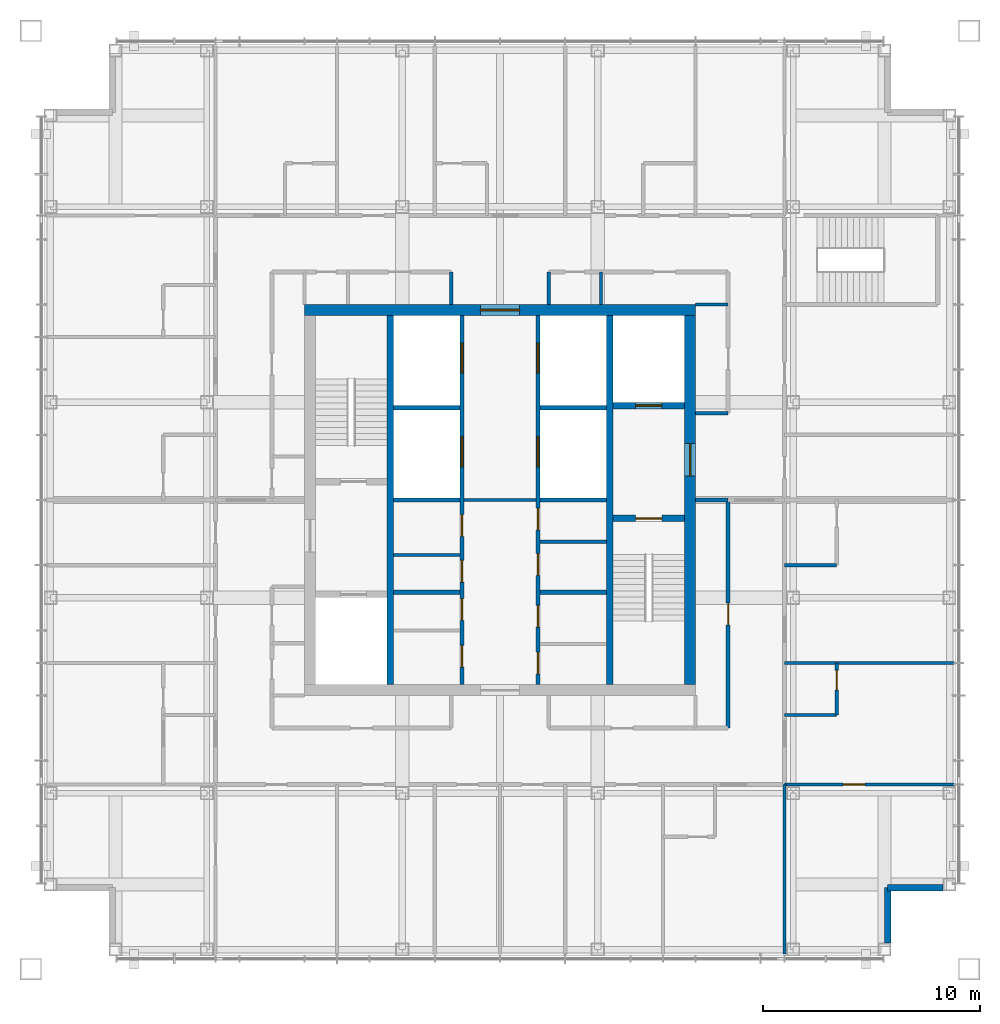
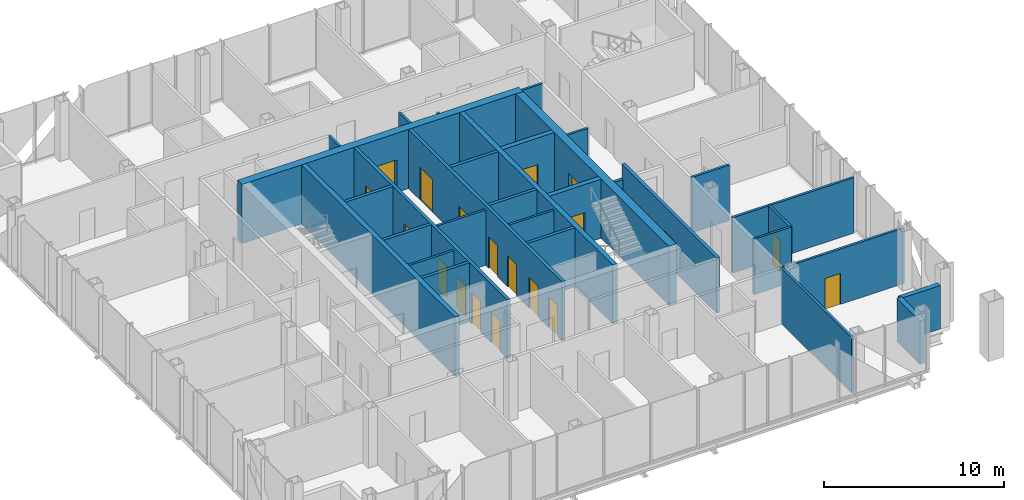
# One storey, part 9 of 16: 32 walls, 19 doors, 19 openings.
"""IFC4 building model written with IfcOpenShell, lengths in metres."""

from ifc_helpers import new_model, si_unit, direction, frame, frame_2d, origin, place, context, subcontext, project, spatial, rectangle, extrude, material, layer, layer_set, type_object, element, fill, save


model = new_model("IFC4")

# Units and contexts
model_context = context("Model", 3, precision=1e-05, world=origin(), true_north=direction((0.0, 1.0)))
body_context = subcontext(model_context, "Body", "Model", "MODEL_VIEW")
ifc_project = project(units=[si_unit("LENGTHUNIT", "METRE"), si_unit("AREAUNIT", "SQUARE_METRE"), si_unit("VOLUMEUNIT", "CUBIC_METRE"), si_unit("PLANEANGLEUNIT", "RADIAN"), si_unit("MASSUNIT", "GRAM", prefix="KILO")], contexts=[model_context])

# Site, building, storey
site_placement = place(None, origin())
site = spatial("IfcSite", under=ifc_project, at=site_placement, CompositionType="ELEMENT")
building_placement = place(site_placement, origin())
building = spatial("IfcBuilding", under=site, at=building_placement, Name="Malebo Sky Hospital", CompositionType="ELEMENT")
storey_placement = place(building_placement, frame((0.0, 0.0, 254.0)))
storey = spatial("IfcBuildingStorey", under=building, at=storey_placement, Name="L61", CompositionType="ELEMENT", Elevation=254.0)

# Wall, openings, doors
ifc_material_1 = material(Name="Concrete C80/95", Category="concrete")
ifc_layer_1 = layer(ifc_material_1, 0.199951171875)
ifc_layer_set_1 = layer_set([ifc_layer_1], Name="CORE INNER WALL 200")
wall_type_1 = type_object("IfcWallType", Name="CORE INNER WALL 200", PredefinedType="SHEAR", material=ifc_layer_set_1)
wall_1_placement = place(storey_placement, frame((58.25, 53.5, 0.0), z_axis=(0.0, 0.0, 1.0), x_axis=(0.0, 1.0, 0.0)))
wall_1 = element("IfcWall", 1, at=wall_1_placement, inside=storey, type_object=wall_type_1, Name="Core wall LW L61", PredefinedType="SHEAR", context=body_context, shape_type="SweptSolid", body=[
    extrude(rectangle(XDim=17.0, YDim=0.199951171875, at=frame_2d((8.5, 0.0))), origin(), (0.0, 0.0, 1.0), 4.0),
])
opening_1_placement = place(wall_1_placement, frame((0.8076171875, 0.0, 0.0)))
opening_1 = element("IfcOpeningElement", 2, at=opening_1_placement, cuts=wall_1, Name="Opening D17", PredefinedType="OPENING", context=body_context, shape_type="SweptSolid", body=[
    extrude(rectangle(XDim=1.0, YDim=2.10009765625, at=frame_2d((0.5, 1.050048828125))), frame((0.0, 0.10986328125, 0.0), z_axis=(0.0, -1.0, 0.0), x_axis=(1.0, 0.0, 0.0)), (0.0, 0.0, 1.0), 0.219970703125),
])
opening_2_placement = place(wall_1_placement, frame((2.95751953125, 0.0, 0.0)))
opening_2 = element("IfcOpeningElement", 3, at=opening_2_placement, cuts=wall_1, Name="Opening D17", PredefinedType="OPENING", context=body_context, shape_type="SweptSolid", body=[
    extrude(rectangle(XDim=1.0, YDim=2.10009765625, at=frame_2d((0.5, 1.050048828125))), frame((0.0, 0.10986328125, 0.0), z_axis=(0.0, -1.0, 0.0), x_axis=(1.0, 0.0, 0.0)), (0.0, 0.0, 1.0), 0.219970703125),
])
opening_3_placement = place(wall_1_placement, frame((4.722412109375, 0.0, 0.0)))
opening_3 = element("IfcOpeningElement", 4, at=opening_3_placement, cuts=wall_1, Name="Opening D17", PredefinedType="OPENING", context=body_context, shape_type="SweptSolid", body=[
    extrude(rectangle(XDim=1.0, YDim=2.10009765625, at=frame_2d((0.5, 1.050048828125))), frame((0.0, 0.10986328125, 0.0), z_axis=(0.0, -1.0, 0.0), x_axis=(1.0, 0.0, 0.0)), (0.0, 0.0, 1.0), 0.219970703125),
])
opening_4_placement = place(wall_1_placement, frame((6.822509765625, 0.0, 0.0)))
opening_4 = element("IfcOpeningElement", 5, at=opening_4_placement, cuts=wall_1, Name="Opening D17", PredefinedType="OPENING", context=body_context, shape_type="SweptSolid", body=[
    extrude(rectangle(XDim=1.0, YDim=2.10009765625, at=frame_2d((0.5, 1.050048828125))), frame((0.0, 0.10986328125, 0.0), z_axis=(0.0, -1.0, 0.0), x_axis=(1.0, 0.0, 0.0)), (0.0, 0.0, 1.0), 0.219970703125),
])
opening_5_placement = place(wall_1_placement, frame((10.02490234375, 0.0, 0.0)))
opening_5 = element("IfcOpeningElement", 6, at=opening_5_placement, cuts=wall_1, Name="Opening LD1", PredefinedType="OPENING", context=body_context, shape_type="SweptSolid", body=[
    extrude(rectangle(XDim=1.39990234375, YDim=2.199951171875, at=frame_2d((0.699951171875, 1.10009765625))), frame((0.0, 0.10986328125, 0.0), z_axis=(0.0, -1.0, 0.0), x_axis=(1.0, 0.0, 0.0)), (0.0, 0.0, 1.0), 0.219970703125),
])
opening_6_placement = place(wall_1_placement, frame((14.324951171875, 0.0, 0.0)))
opening_6 = element("IfcOpeningElement", 7, at=opening_6_placement, cuts=wall_1, Name="Opening LD1", PredefinedType="OPENING", context=body_context, shape_type="SweptSolid", body=[
    extrude(rectangle(XDim=1.39990234375, YDim=2.199951171875, at=frame_2d((0.699951171875, 1.10009765625))), frame((0.0, 0.10986328125, 0.0), z_axis=(0.0, -1.0, 0.0), x_axis=(1.0, 0.0, 0.0)), (0.0, 0.0, 1.0), 0.219970703125),
])
ifc_material_2 = material(Name="Hardwood-faced door leaf in steel frame", Category="steel")
door_type_1 = type_object("IfcDoorType", Name="FIRE DOOR 1000", OperationType="SINGLE_SWING_LEFT", PredefinedType="DOOR", material=ifc_material_2)
door_1_placement = place(opening_1_placement, origin())
door_1 = element("IfcDoor", 8, at=door_1_placement, inside=storey, type_object=door_type_1, Name="Mattress store door", OperationType="SINGLE_SWING_RIGHT", OverallHeight=2.10009765625, OverallWidth=1.0, PredefinedType="DOOR", context=body_context, shape_type="SweptSolid", body=[
    extrude(rectangle(XDim=1.0, YDim=2.10009765625, at=frame_2d((0.5, 1.050048828125))), frame((0.0, 0.02490234375, 0.0), z_axis=(0.0, -1.0, 0.0), x_axis=(1.0, 0.0, 0.0)), (0.0, 0.0, 1.0), 0.050048828125),
])
fill(opening_1, door_1)
door_2_placement = place(opening_2_placement, origin())
door_2 = element("IfcDoor", 9, at=door_2_placement, inside=storey, type_object=door_type_1, Name="Cleaning equipment store door", OperationType="SINGLE_SWING_RIGHT", OverallHeight=2.10009765625, OverallWidth=1.0, PredefinedType="DOOR", context=body_context, shape_type="SweptSolid", body=[
    extrude(rectangle(XDim=1.0, YDim=2.10009765625, at=frame_2d((0.5, 1.050048828125))), frame((0.0, 0.02490234375, 0.0), z_axis=(0.0, -1.0, 0.0), x_axis=(1.0, 0.0, 0.0)), (0.0, 0.0, 1.0), 0.050048828125),
])
fill(opening_2, door_2)
door_3_placement = place(opening_3_placement, origin())
door_3 = element("IfcDoor", 10, at=door_3_placement, inside=storey, type_object=door_type_1, Name="Archive store door", OperationType="SINGLE_SWING_RIGHT", OverallHeight=2.10009765625, OverallWidth=1.0, PredefinedType="DOOR", context=body_context, shape_type="SweptSolid", body=[
    extrude(rectangle(XDim=1.0, YDim=2.10009765625, at=frame_2d((0.5, 1.050048828125))), frame((0.0, 0.02490234375, 0.0), z_axis=(0.0, -1.0, 0.0), x_axis=(1.0, 0.0, 0.0)), (0.0, 0.0, 1.0), 0.050048828125),
])
fill(opening_3, door_3)
door_4_placement = place(opening_4_placement, origin())
door_4 = element("IfcDoor", 11, at=door_4_placement, inside=storey, type_object=door_type_1, Name="General store door", OperationType="SINGLE_SWING_RIGHT", OverallHeight=2.10009765625, OverallWidth=1.0, PredefinedType="DOOR", context=body_context, shape_type="SweptSolid", body=[
    extrude(rectangle(XDim=1.0, YDim=2.10009765625, at=frame_2d((0.5, 1.050048828125))), frame((0.0, 0.02490234375, 0.0), z_axis=(0.0, -1.0, 0.0), x_axis=(1.0, 0.0, 0.0)), (0.0, 0.0, 1.0), 0.050048828125),
])
fill(opening_4, door_4)
ifc_material_3 = material(Name="Stainless steel sliding landing door", Category="steel")
door_type_2 = type_object("IfcDoorType", Name="LIFT LANDING DOOR 1400", OperationType="SLIDING_TO_LEFT", PredefinedType="DOOR", material=ifc_material_3)
door_5_placement = place(opening_5_placement, origin())
door_5 = element("IfcDoor", 12, at=door_5_placement, inside=storey, type_object=door_type_2, Name="Lift W3 landing door", OperationType="SLIDING_TO_LEFT", OverallHeight=2.199951171875, OverallWidth=1.39990234375, PredefinedType="DOOR", context=body_context, shape_type="SweptSolid", body=[
    extrude(rectangle(XDim=1.39990234375, YDim=2.199951171875, at=frame_2d((0.699951171875, 1.10009765625))), frame((0.0, 0.02490234375, 0.0), z_axis=(0.0, -1.0, 0.0), x_axis=(1.0, 0.0, 0.0)), (0.0, 0.0, 1.0), 0.050048828125),
])
fill(opening_5, door_5)
door_6_placement = place(opening_6_placement, origin())
door_6 = element("IfcDoor", 13, at=door_6_placement, inside=storey, type_object=door_type_2, Name="Lift W4 landing door", OperationType="SLIDING_TO_LEFT", OverallHeight=2.199951171875, OverallWidth=1.39990234375, PredefinedType="DOOR", context=body_context, shape_type="SweptSolid", body=[
    extrude(rectangle(XDim=1.39990234375, YDim=2.199951171875, at=frame_2d((0.699951171875, 1.10009765625))), frame((0.0, 0.02490234375, 0.0), z_axis=(0.0, -1.0, 0.0), x_axis=(1.0, 0.0, 0.0)), (0.0, 0.0, 1.0), 0.050048828125),
])
fill(opening_6, door_6)

wall_2_placement = place(storey_placement, frame((61.75, 53.5, 0.0), z_axis=(0.0, 0.0, 1.0), x_axis=(0.0, 1.0, 0.0)))
wall_2 = element("IfcWall", 14, at=wall_2_placement, inside=storey, type_object=wall_type_1, Name="Core wall LE L61", PredefinedType="SHEAR", context=body_context, shape_type="SweptSolid", body=[
    extrude(rectangle(XDim=17.0, YDim=0.199951171875, at=frame_2d((8.5, 0.0))), origin(), (0.0, 0.0, 1.0), 4.0),
])
opening_7_placement = place(wall_2_placement, frame((0.49609375, 0.0, 0.0)))
opening_7 = element("IfcOpeningElement", 15, at=opening_7_placement, cuts=wall_2, Name="Opening D17", PredefinedType="OPENING", context=body_context, shape_type="SweptSolid", body=[
    extrude(rectangle(XDim=1.0, YDim=2.10009765625, at=frame_2d((0.5, 1.050048828125))), frame((0.0, 0.10986328125, 0.0), z_axis=(0.0, -1.0, 0.0), x_axis=(1.0, 0.0, 0.0)), (0.0, 0.0, 1.0), 0.219970703125),
])
opening_8_placement = place(wall_2_placement, frame((2.64599609375, 0.0, 0.0)))
opening_8 = element("IfcOpeningElement", 16, at=opening_8_placement, cuts=wall_2, Name="Opening D17", PredefinedType="OPENING", context=body_context, shape_type="SweptSolid", body=[
    extrude(rectangle(XDim=1.0, YDim=2.10009765625, at=frame_2d((0.5, 1.050048828125))), frame((0.0, 0.10986328125, 0.0), z_axis=(0.0, -1.0, 0.0), x_axis=(1.0, 0.0, 0.0)), (0.0, 0.0, 1.0), 0.219970703125),
])
opening_9_placement = place(wall_2_placement, frame((5.026611328125, 0.0, 0.0)))
opening_9 = element("IfcOpeningElement", 17, at=opening_9_placement, cuts=wall_2, Name="Opening D17", PredefinedType="OPENING", context=body_context, shape_type="SweptSolid", body=[
    extrude(rectangle(XDim=1.0, YDim=2.10009765625, at=frame_2d((0.5, 1.050048828125))), frame((0.0, 0.10986328125, 0.0), z_axis=(0.0, -1.0, 0.0), x_axis=(1.0, 0.0, 0.0)), (0.0, 0.0, 1.0), 0.219970703125),
])
opening_10_placement = place(wall_2_placement, frame((7.12646484375, 0.0, 0.0)))
opening_10 = element("IfcOpeningElement", 18, at=opening_10_placement, cuts=wall_2, Name="Opening D17", PredefinedType="OPENING", context=body_context, shape_type="SweptSolid", body=[
    extrude(rectangle(XDim=1.0, YDim=2.10009765625, at=frame_2d((0.5, 1.050048828125))), frame((0.0, 0.10986328125, 0.0), z_axis=(0.0, -1.0, 0.0), x_axis=(1.0, 0.0, 0.0)), (0.0, 0.0, 1.0), 0.219970703125),
])
opening_11_placement = place(wall_2_placement, frame((10.02490234375, 0.0, 0.0)))
opening_11 = element("IfcOpeningElement", 19, at=opening_11_placement, cuts=wall_2, Name="Opening LD1", PredefinedType="OPENING", context=body_context, shape_type="SweptSolid", body=[
    extrude(rectangle(XDim=1.39990234375, YDim=2.199951171875, at=frame_2d((0.699951171875, 1.10009765625))), frame((0.0, 0.10986328125, 0.0), z_axis=(0.0, -1.0, 0.0), x_axis=(1.0, 0.0, 0.0)), (0.0, 0.0, 1.0), 0.219970703125),
])
opening_12_placement = place(wall_2_placement, frame((14.324951171875, 0.0, 0.0)))
opening_12 = element("IfcOpeningElement", 20, at=opening_12_placement, cuts=wall_2, Name="Opening LD1", PredefinedType="OPENING", context=body_context, shape_type="SweptSolid", body=[
    extrude(rectangle(XDim=1.39990234375, YDim=2.199951171875, at=frame_2d((0.699951171875, 1.10009765625))), frame((0.0, 0.10986328125, 0.0), z_axis=(0.0, -1.0, 0.0), x_axis=(1.0, 0.0, 0.0)), (0.0, 0.0, 1.0), 0.219970703125),
])
door_7_placement = place(opening_7_placement, origin())
door_7 = element("IfcDoor", 21, at=door_7_placement, inside=storey, type_object=door_type_1, Name="Records store door", OperationType="SINGLE_SWING_RIGHT", OverallHeight=2.10009765625, OverallWidth=1.0, PredefinedType="DOOR", context=body_context, shape_type="SweptSolid", body=[
    extrude(rectangle(XDim=1.0, YDim=2.10009765625, at=frame_2d((0.5, 1.050048828125))), frame((0.0, 0.02490234375, 0.0), z_axis=(0.0, -1.0, 0.0), x_axis=(1.0, 0.0, 0.0)), (0.0, 0.0, 1.0), 0.050048828125),
])
fill(opening_7, door_7)
door_8_placement = place(opening_8_placement, origin())
door_8 = element("IfcDoor", 22, at=door_8_placement, inside=storey, type_object=door_type_1, Name="Equipment store door", OperationType="SINGLE_SWING_RIGHT", OverallHeight=2.10009765625, OverallWidth=1.0, PredefinedType="DOOR", context=body_context, shape_type="SweptSolid", body=[
    extrude(rectangle(XDim=1.0, YDim=2.10009765625, at=frame_2d((0.5, 1.050048828125))), frame((0.0, 0.02490234375, 0.0), z_axis=(0.0, -1.0, 0.0), x_axis=(1.0, 0.0, 0.0)), (0.0, 0.0, 1.0), 0.050048828125),
])
fill(opening_8, door_8)
door_9_placement = place(opening_9_placement, origin())
door_9 = element("IfcDoor", 23, at=door_9_placement, inside=storey, type_object=door_type_1, Name="Linen store door", OperationType="SINGLE_SWING_RIGHT", OverallHeight=2.10009765625, OverallWidth=1.0, PredefinedType="DOOR", context=body_context, shape_type="SweptSolid", body=[
    extrude(rectangle(XDim=1.0, YDim=2.10009765625, at=frame_2d((0.5, 1.050048828125))), frame((0.0, 0.02490234375, 0.0), z_axis=(0.0, -1.0, 0.0), x_axis=(1.0, 0.0, 0.0)), (0.0, 0.0, 1.0), 0.050048828125),
])
fill(opening_9, door_9)
door_10_placement = place(opening_10_placement, origin())
door_10 = element("IfcDoor", 24, at=door_10_placement, inside=storey, type_object=door_type_1, Name="Supplies store door", OperationType="SINGLE_SWING_RIGHT", OverallHeight=2.10009765625, OverallWidth=1.0, PredefinedType="DOOR", context=body_context, shape_type="SweptSolid", body=[
    extrude(rectangle(XDim=1.0, YDim=2.10009765625, at=frame_2d((0.5, 1.050048828125))), frame((0.0, 0.02490234375, 0.0), z_axis=(0.0, -1.0, 0.0), x_axis=(1.0, 0.0, 0.0)), (0.0, 0.0, 1.0), 0.050048828125),
])
fill(opening_10, door_10)
door_11_placement = place(opening_11_placement, origin())
door_11 = element("IfcDoor", 25, at=door_11_placement, inside=storey, type_object=door_type_2, Name="Lift E3 landing door", OperationType="SLIDING_TO_LEFT", OverallHeight=2.199951171875, OverallWidth=1.39990234375, PredefinedType="DOOR", context=body_context, shape_type="SweptSolid", body=[
    extrude(rectangle(XDim=1.39990234375, YDim=2.199951171875, at=frame_2d((0.699951171875, 1.10009765625))), frame((0.0, 0.02490234375, 0.0), z_axis=(0.0, -1.0, 0.0), x_axis=(1.0, 0.0, 0.0)), (0.0, 0.0, 1.0), 0.050048828125),
])
fill(opening_11, door_11)
door_12_placement = place(opening_12_placement, origin())
door_12 = element("IfcDoor", 26, at=door_12_placement, inside=storey, type_object=door_type_2, Name="Lift E4 landing door", OperationType="SLIDING_TO_LEFT", OverallHeight=2.199951171875, OverallWidth=1.39990234375, PredefinedType="DOOR", context=body_context, shape_type="SweptSolid", body=[
    extrude(rectangle(XDim=1.39990234375, YDim=2.199951171875, at=frame_2d((0.699951171875, 1.10009765625))), frame((0.0, 0.02490234375, 0.0), z_axis=(0.0, -1.0, 0.0), x_axis=(1.0, 0.0, 0.0)), (0.0, 0.0, 1.0), 0.050048828125),
])
fill(opening_12, door_12)

# Walls
for number, where, z_axis, x_axis, name in (
    (27, (55.10009765625, 57.75, 0.0), (0.0, 0.0, 1.0), (1.0, 0.0, 0.0), "Core wall SW0 L61"),
    (28, (61.85009765625, 57.75, 0.0), (0.0, 0.0, 1.0), (1.0, 0.0, 0.0), "Core wall SE0 L61"),
    (29, (55.10009765625, 62.0, 0.0), (0.0, 0.0, 1.0), (1.0, 0.0, 0.0), "Core wall SW1 L61"),
    (30, (61.85009765625, 62.0, 0.0), (0.0, 0.0, 1.0), (1.0, 0.0, 0.0), "Core wall SE1 L61"),
    (31, (55.10009765625, 66.25, 0.0), (0.0, 0.0, 1.0), (1.0, 0.0, 0.0), "Core wall SW2 L61"),
    (32, (61.85009765625, 66.25, 0.0), (0.0, 0.0, 1.0), (1.0, 0.0, 0.0), "Core wall SE2 L61"),
):
    element("IfcWall", number, at=place(storey_placement, frame(where, z_axis=z_axis, x_axis=x_axis)), inside=storey, type_object=wall_type_1, Name=name, PredefinedType="SHEAR", context=body_context, shape_type="SweptSolid", body=[
        extrude(rectangle(XDim=3.0498046875, YDim=0.199951171875, at=frame_2d((1.52490234375, 0.0))), origin(), (0.0, 0.0, 1.0), 4.0),
    ])
ifc_layer_2 = layer(ifc_material_1, 0.300048828125)
ifc_layer_set_2 = layer_set([ifc_layer_2], Name="CORE INNER WALL 300")
wall_type_2 = type_object("IfcWallType", Name="CORE INNER WALL 300", PredefinedType="SHEAR", material=ifc_layer_set_2)
for number, where, z_axis, x_axis, name in (
    (33, (54.949951171875, 53.5, 0.0), (0.0, 0.0, 1.0), (0.0, 1.0, 0.0), "Core wall XW L61"),
    (34, (65.050048828125, 53.5, 0.0), (0.0, 0.0, 1.0), (0.0, 1.0, 0.0), "Core wall XE L61"),
):
    element("IfcWall", number, at=place(storey_placement, frame(where, z_axis=z_axis, x_axis=x_axis)), inside=storey, type_object=wall_type_2, Name=name, PredefinedType="SHEAR", context=body_context, shape_type="SweptSolid", body=[
        extrude(rectangle(XDim=17.0, YDim=0.300048828125, at=frame_2d((8.5, 0.0))), origin(), (0.0, 0.0, 1.0), 4.0),
    ])

# Wall, opening, door
wall_3_placement = place(storey_placement, frame((65.199951171875, 61.14990234375, 0.0), z_axis=(0.0, 0.0, 1.0), x_axis=(1.0, 0.0, 0.0)))
wall_3 = element("IfcWall", 35, at=wall_3_placement, inside=storey, type_object=wall_type_2, Name="Core wall E1 L61", PredefinedType="SHEAR", context=body_context, shape_type="SweptSolid", body=[
    extrude(rectangle(XDim=3.300048828125, YDim=0.300048828125, at=frame_2d((1.64990234375, 0.0))), origin(), (0.0, 0.0, 1.0), 4.0),
])
opening_13_placement = place(wall_3_placement, frame((1.050048828125, 0.0, 0.0)))
opening_13 = element("IfcOpeningElement", 36, at=opening_13_placement, cuts=wall_3, Name="Opening D08", PredefinedType="OPENING", context=body_context, shape_type="SweptSolid", body=[
    extrude(rectangle(XDim=1.199951171875, YDim=2.10009765625, at=frame_2d((0.60009765625, 1.050048828125))), frame((0.0, 0.159912109375, 0.0), z_axis=(0.0, -1.0, 0.0), x_axis=(1.0, 0.0, 0.0)), (0.0, 0.0, 1.0), 0.320068359375),
])
door_type_3 = type_object("IfcDoorType", Name="STAIR DOOR 1200", OperationType="SINGLE_SWING_LEFT", PredefinedType="DOOR", material=ifc_material_2)
door_13_placement = place(opening_13_placement, origin())
door_13 = element("IfcDoor", 37, at=door_13_placement, inside=storey, type_object=door_type_3, Name="Stair S2 door", OperationType="SINGLE_SWING_LEFT", OverallHeight=2.10009765625, OverallWidth=1.199951171875, PredefinedType="DOOR", context=body_context, shape_type="SweptSolid", body=[
    extrude(rectangle(XDim=1.199951171875, YDim=2.10009765625, at=frame_2d((0.60009765625, 1.050048828125))), frame((0.0, 0.02490234375, 0.0), z_axis=(0.0, -1.0, 0.0), x_axis=(1.0, 0.0, 0.0)), (0.0, 0.0, 1.0), 0.050048828125),
])
fill(opening_13, door_13)

wall_4_placement = place(storey_placement, frame((65.199951171875, 66.35009765625, 0.0), z_axis=(0.0, 0.0, 1.0), x_axis=(1.0, 0.0, 0.0)))
wall_4 = element("IfcWall", 38, at=wall_4_placement, inside=storey, type_object=wall_type_2, Name="Core wall E2 L61", PredefinedType="SHEAR", context=body_context, shape_type="SweptSolid", body=[
    extrude(rectangle(XDim=3.300048828125, YDim=0.300048828125, at=frame_2d((1.64990234375, 0.0))), origin(), (0.0, 0.0, 1.0), 4.0),
])
opening_14_placement = place(wall_4_placement, frame((1.050048828125, 0.0, 0.0)))
opening_14 = element("IfcOpeningElement", 39, at=opening_14_placement, cuts=wall_4, Name="Opening LD2", PredefinedType="OPENING", context=body_context, shape_type="SweptSolid", body=[
    extrude(rectangle(XDim=1.199951171875, YDim=2.199951171875, at=frame_2d((0.60009765625, 1.10009765625))), frame((0.0, 0.159912109375, 0.0), z_axis=(0.0, -1.0, 0.0), x_axis=(1.0, 0.0, 0.0)), (0.0, 0.0, 1.0), 0.320068359375),
])
door_type_4 = type_object("IfcDoorType", Name="FIRE-FIGHTING LIFT LANDING DOOR 1200", OperationType="SLIDING_TO_LEFT", PredefinedType="DOOR", material=ifc_material_3)
door_14_placement = place(opening_14_placement, origin())
door_14 = element("IfcDoor", 40, at=door_14_placement, inside=storey, type_object=door_type_4, Name="Lift FL2 landing door", OperationType="SLIDING_TO_LEFT", OverallHeight=2.199951171875, OverallWidth=1.199951171875, PredefinedType="DOOR", context=body_context, shape_type="SweptSolid", body=[
    extrude(rectangle(XDim=1.199951171875, YDim=2.199951171875, at=frame_2d((0.60009765625, 1.10009765625))), frame((0.0, 0.02490234375, 0.0), z_axis=(0.0, -1.0, 0.0), x_axis=(1.0, 0.0, 0.0)), (0.0, 0.0, 1.0), 0.050048828125),
])
fill(opening_14, door_14)

ifc_layer_3 = layer(ifc_material_1, 0.5)
ifc_layer_set_3 = layer_set([ifc_layer_3], Name="CORE WALL 500")
wall_type_3 = type_object("IfcWallType", Name="CORE WALL 500", PredefinedType="SHEAR", material=ifc_layer_set_3)
wall_5_placement = place(storey_placement, frame((51.0, 70.75, 0.0), z_axis=(0.0, 0.0, 1.0), x_axis=(1.0, 0.0, 0.0)))
wall_5 = element("IfcWall", 41, at=wall_5_placement, inside=storey, type_object=wall_type_3, Name="Core wall N L61", PredefinedType="SHEAR", context=body_context, shape_type="SweptSolid", body=[
    extrude(rectangle(XDim=18.0, YDim=0.5, at=frame_2d((9.0, 0.0))), origin(), (0.0, 0.0, 1.0), 4.0),
])
opening_15_placement = place(wall_5_placement, frame((8.10009765625, 0.0, 0.0)))
opening_15 = element("IfcOpeningElement", 42, at=opening_15_placement, cuts=wall_5, Name="Opening D06", PredefinedType="OPENING", context=body_context, shape_type="SweptSolid", body=[
    extrude(rectangle(XDim=1.800048828125, YDim=2.199951171875, at=frame_2d((0.89990234375, 1.10009765625))), frame((0.0, 0.260009765625, 0.0), z_axis=(0.0, -1.0, 0.0), x_axis=(1.0, 0.0, 0.0)), (0.0, 0.0, 1.0), 0.52001953125),
])
door_type_5 = type_object("IfcDoorType", Name="LOBBY DOOR PAIR 1800", OperationType="DOUBLE_DOOR_SINGLE_SWING", PredefinedType="DOOR", material=ifc_material_2)
door_15_placement = place(opening_15_placement, origin())
door_15 = element("IfcDoor", 43, at=door_15_placement, inside=storey, type_object=door_type_5, Name="Lift lobby door north", OperationType="DOUBLE_DOOR_SINGLE_SWING", OverallHeight=2.199951171875, OverallWidth=1.800048828125, PredefinedType="DOOR", context=body_context, shape_type="SweptSolid", body=[
    extrude(rectangle(XDim=1.800048828125, YDim=2.199951171875, at=frame_2d((0.89990234375, 1.10009765625))), frame((0.0, 0.02490234375, 0.0), z_axis=(0.0, -1.0, 0.0), x_axis=(1.0, 0.0, 0.0)), (0.0, 0.0, 1.0), 0.050048828125),
])
fill(opening_15, door_15)

wall_6_placement = place(storey_placement, frame((68.75, 53.5, 0.0), z_axis=(0.0, 0.0, 1.0), x_axis=(0.0, 1.0, 0.0)))
wall_6 = element("IfcWall", 44, at=wall_6_placement, inside=storey, type_object=wall_type_3, Name="Core wall E L61", PredefinedType="SHEAR", context=body_context, shape_type="SweptSolid", body=[
    extrude(rectangle(XDim=17.0, YDim=0.5, at=frame_2d((8.5, 0.0))), origin(), (0.0, 0.0, 1.0), 4.0),
])
opening_16_placement = place(wall_6_placement, frame((9.60009765625, 0.0, 0.0)))
opening_16 = element("IfcOpeningElement", 45, at=opening_16_placement, cuts=wall_6, Name="Opening D07", PredefinedType="OPENING", context=body_context, shape_type="SweptSolid", body=[
    extrude(rectangle(XDim=1.5, YDim=2.199951171875, at=frame_2d((0.75, 1.10009765625))), frame((0.0, 0.260009765625, 0.0), z_axis=(0.0, -1.0, 0.0), x_axis=(1.0, 0.0, 0.0)), (0.0, 0.0, 1.0), 0.52001953125),
])
door_type_6 = type_object("IfcDoorType", Name="FIRE-FIGHTING LOBBY DOOR PAIR 1500", OperationType="DOUBLE_DOOR_SINGLE_SWING", PredefinedType="DOOR", material=ifc_material_2)
door_16_placement = place(opening_16_placement, origin())
door_16 = element("IfcDoor", 46, at=door_16_placement, inside=storey, type_object=door_type_6, Name="Fire-fighting lobby door east", OperationType="DOUBLE_DOOR_SINGLE_SWING", OverallHeight=2.199951171875, OverallWidth=1.5, PredefinedType="DOOR", context=body_context, shape_type="SweptSolid", body=[
    extrude(rectangle(XDim=1.5, YDim=2.199951171875, at=frame_2d((0.75, 1.10009765625))), frame((0.0, 0.02490234375, 0.0), z_axis=(0.0, -1.0, 0.0), x_axis=(1.0, 0.0, 0.0)), (0.0, 0.0, 1.0), 0.050048828125),
])
fill(opening_16, door_16)

ifc_material_4 = material(Name="Gypsum board on steel studs", Category="steel")
ifc_layer_4 = layer(ifc_material_4, 0.199951171875)
ifc_layer_set_4 = layer_set([ifc_layer_4], Name="CORRIDOR WALL 200")
wall_type_4 = type_object("IfcWallType", Name="CORRIDOR WALL 200", PredefinedType="PARTITIONING", material=ifc_layer_set_4)
wall_7_placement = place(storey_placement, frame((70.5, 62.0, 0.0), z_axis=(0.0, 0.0, 1.0), x_axis=(0.0, -1.0, 0.0)))
wall_7 = element("IfcWall", 47, at=wall_7_placement, inside=storey, type_object=wall_type_4, Name="Corridor Wall 200 ECI2", PredefinedType="PARTITIONING", context=body_context, shape_type="SweptSolid", body=[
    extrude(rectangle(XDim=10.5, YDim=0.199951171875, at=frame_2d((5.25, 0.0))), origin(), (0.0, 0.0, 1.0), 3.75),
])
opening_17_placement = place(wall_7_placement, frame((4.75, 0.0, 0.0)))
opening_17 = element("IfcOpeningElement", 48, at=opening_17_placement, cuts=wall_7, Name="Opening D03", PredefinedType="OPENING", context=body_context, shape_type="SweptSolid", body=[
    extrude(rectangle(XDim=1.0, YDim=2.10009765625, at=frame_2d((0.5, 1.050048828125))), frame((0.0, 0.10986328125, 0.0), z_axis=(0.0, -1.0, 0.0), x_axis=(1.0, 0.0, 0.0)), (0.0, 0.0, 1.0), 0.219970703125),
])
door_type_7 = type_object("IfcDoorType", Name="ROOM DOOR 1000", OperationType="SINGLE_SWING_LEFT", PredefinedType="DOOR", material=ifc_material_2)
door_17_placement = place(opening_17_placement, origin())
door_17 = element("IfcDoor", 49, at=door_17_placement, inside=storey, type_object=door_type_7, Name="Wheelchair store door", OperationType="SINGLE_SWING_LEFT", OverallHeight=2.10009765625, OverallWidth=1.0, PredefinedType="DOOR", context=body_context, shape_type="SweptSolid", body=[
    extrude(rectangle(XDim=1.0, YDim=2.10009765625, at=frame_2d((0.5, 1.050048828125))), frame((0.0, 0.02490234375, 0.0), z_axis=(0.0, -1.0, 0.0), x_axis=(1.0, 0.0, 0.0)), (0.0, 0.0, 1.0), 0.050048828125),
])
fill(opening_17, door_17)

# Walls
ifc_material_5 = material(Name="Anodised aluminium rainscreen on steel framing", Category="steel")
ifc_layer_5 = layer(ifc_material_5, 0.300048828125)
ifc_layer_set_5 = layer_set([ifc_layer_5], Name="NOTCH RAINSCREEN WALL 300")
wall_type_5 = type_object("IfcWallType", Name="NOTCH RAINSCREEN WALL 300", PredefinedType="ELEMENTEDWALL", material=ifc_layer_set_5)
for number, where, z_axis, x_axis, name in (
    (50, (80.39990234375, 44.14990234375, 0.0), (0.0, 0.0, 1.0), (-1.0, 0.0, 0.0), "Notch rainscreen wall E1 L61"),
    (51, (77.85009765625, 44.14990234375, 0.0), (0.0, 0.0, 1.0), (0.0, -1.0, 0.0), "Notch rainscreen wall E2 L61"),
):
    element("IfcWall", number, at=place(storey_placement, frame(where, z_axis=z_axis, x_axis=x_axis)), inside=storey, type_object=wall_type_5, Name=name, PredefinedType="ELEMENTEDWALL", context=body_context, shape_type="SweptSolid", body=[
        extrude(rectangle(XDim=2.5498046875, YDim=0.300048828125, at=frame_2d((1.27490234375, 0.0))), origin(), (0.0, 0.0, 1.0), 2.949951171875),
    ])
ifc_layer_6 = layer(ifc_material_4, 0.14990234375)
ifc_layer_set_6 = layer_set([ifc_layer_6], Name="PARTITION 150")
wall_type_6 = type_object("IfcWallType", Name="PARTITION 150", PredefinedType="PARTITIONING", material=ifc_layer_set_6)
for number, where, z_axis, x_axis, name in (
    (52, (57.75, 71.0, 0.0), (0.0, 0.0, 1.0), (0.0, 1.0, 0.0), "Partition 150 NSPA"),
    (53, (62.25, 71.0, 0.0), (0.0, 0.0, 1.0), (0.0, 1.0, 0.0), "Partition 150 NSPB"),
):
    element("IfcWall", number, at=place(storey_placement, frame(where, z_axis=z_axis, x_axis=x_axis)), inside=storey, type_object=wall_type_6, Name=name, PredefinedType="PARTITIONING", context=body_context, shape_type="SweptSolid", body=[
        extrude(rectangle(XDim=1.5, YDim=0.14990234375, at=frame_2d((0.75, 0.0))), origin(), (0.0, 0.0, 1.0), 3.75),
    ])
wall_8_placement = place(storey_placement, frame((64.64990234375, 71.0, 0.0), z_axis=(0.0, 0.0, 1.0), x_axis=(0.0, 1.0, 0.0)))
element("IfcWall", 54, at=wall_8_placement, inside=storey, type_object=wall_type_6, Name="Partition 150 NSP+4.7", PredefinedType="PARTITIONING", context=body_context, shape_type="SweptSolid", body=[
    extrude(rectangle(XDim=1.5, YDim=0.14990234375, at=frame_2d((0.75, 0.0))), origin(), (0.0, 0.0, 1.0), 2.949951171875),
])
for number, where, z_axis, x_axis, name in (
    (55, (73.10009765625, 48.89990234375, 0.0), (0.0, 0.0, 1.0), (0.0, -1.0, 0.0), "Partition 150 SP0"),
    (56, (73.10009765625, 54.5, 0.0), (0.0, 0.0, 1.0), (1.0, 0.0, 0.0), "Partition 150 EP+7.5"),
):
    element("IfcWall", number, at=place(storey_placement, frame(where, z_axis=z_axis, x_axis=x_axis)), inside=storey, type_object=wall_type_6, Name=name, PredefinedType="PARTITIONING", context=body_context, shape_type="SweptSolid", body=[
        extrude(rectangle(XDim=7.7998046875, YDim=0.14990234375, at=frame_2d((3.89990234375, 0.0))), origin(), (0.0, 0.0, 1.0), 3.75),
    ])
wall_9_placement = place(storey_placement, frame((73.10009765625, 59.0, 0.0), z_axis=(0.0, 0.0, 1.0), x_axis=(1.0, 0.0, 0.0)))
element("IfcWall", 57, at=wall_9_placement, inside=storey, type_object=wall_type_6, Name="Partition 150 EE3S", PredefinedType="PARTITIONING", context=body_context, shape_type="SweptSolid", body=[
    extrude(rectangle(XDim=2.39990234375, YDim=0.14990234375, at=frame_2d((1.199951171875, 0.0))), origin(), (0.0, 0.0, 1.0), 3.75),
])

# Wall, opening, door
wall_10_placement = place(storey_placement, frame((73.10009765625, 48.89990234375, 0.0), z_axis=(0.0, 0.0, 1.0), x_axis=(1.0, 0.0, 0.0)))
wall_10 = element("IfcWall", 58, at=wall_10_placement, inside=storey, type_object=wall_type_6, Name="Partition 150 EK", PredefinedType="PARTITIONING", context=body_context, shape_type="SweptSolid", body=[
    extrude(rectangle(XDim=7.7998046875, YDim=0.14990234375, at=frame_2d((3.89990234375, 0.0))), origin(), (0.0, 0.0, 1.0), 3.75),
])
opening_18_placement = place(wall_10_placement, frame((2.699951171875, 0.0, 0.0)))
opening_18 = element("IfcOpeningElement", 59, at=opening_18_placement, cuts=wall_10, Name="Opening D03", PredefinedType="OPENING", context=body_context, shape_type="SweptSolid", body=[
    extrude(rectangle(XDim=1.0, YDim=2.10009765625, at=frame_2d((0.5, 1.050048828125))), frame((0.0, 0.0849609375, 0.0), z_axis=(0.0, -1.0, 0.0), x_axis=(1.0, 0.0, 0.0)), (0.0, 0.0, 1.0), 0.169921875),
])
door_18_placement = place(opening_18_placement, origin())
door_18 = element("IfcDoor", 60, at=door_18_placement, inside=storey, type_object=door_type_7, Name="Infusion chair bay door", OperationType="SINGLE_SWING_LEFT", OverallHeight=2.10009765625, OverallWidth=1.0, PredefinedType="DOOR", context=body_context, shape_type="SweptSolid", body=[
    extrude(rectangle(XDim=1.0, YDim=2.10009765625, at=frame_2d((0.5, 1.050048828125))), frame((0.0, 0.02490234375, 0.0), z_axis=(0.0, -1.0, 0.0), x_axis=(1.0, 0.0, 0.0)), (0.0, 0.0, 1.0), 0.050048828125),
])
fill(opening_18, door_18)

wall_11_placement = place(storey_placement, frame((75.5, 54.5, 0.0), z_axis=(0.0, 0.0, 1.0), x_axis=(0.0, -1.0, 0.0)))
wall_11 = element("IfcWall", 61, at=wall_11_placement, inside=storey, type_object=wall_type_6, Name="Partition 150 EE4F", PredefinedType="PARTITIONING", context=body_context, shape_type="SweptSolid", body=[
    extrude(rectangle(XDim=2.39990234375, YDim=0.14990234375, at=frame_2d((1.199951171875, 0.0))), origin(), (0.0, 0.0, 1.0), 3.75),
])
opening_19_placement = place(wall_11_placement, frame((0.35009765625, 0.0, 0.0)))
opening_19 = element("IfcOpeningElement", 62, at=opening_19_placement, cuts=wall_11, Name="Opening D02", PredefinedType="OPENING", context=body_context, shape_type="SweptSolid", body=[
    extrude(rectangle(XDim=0.89990234375, YDim=2.10009765625, at=frame_2d((0.449951171875, 1.050048828125))), frame((0.0, 0.0849609375, 0.0), z_axis=(0.0, -1.0, 0.0), x_axis=(1.0, 0.0, 0.0)), (0.0, 0.0, 1.0), 0.169921875),
])
door_type_8 = type_object("IfcDoorType", Name="EN-SUITE DOOR 900", OperationType="SINGLE_SWING_LEFT", PredefinedType="DOOR", material=ifc_material_2)
door_19_placement = place(opening_19_placement, origin())
door_19 = element("IfcDoor", 63, at=door_19_placement, inside=storey, type_object=door_type_8, Name="En-suite door", OperationType="SINGLE_SWING_LEFT", OverallHeight=2.10009765625, OverallWidth=0.89990234375, PredefinedType="DOOR", context=body_context, shape_type="SweptSolid", body=[
    extrude(rectangle(XDim=0.89990234375, YDim=2.10009765625, at=frame_2d((0.449951171875, 1.050048828125))), frame((0.0, 0.02490234375, 0.0), z_axis=(0.0, -1.0, 0.0), x_axis=(1.0, 0.0, 0.0)), (0.0, 0.0, 1.0), 0.050048828125),
])
fill(opening_19, door_19)

# Walls
wall_12_placement = place(storey_placement, frame((73.10009765625, 52.10009765625, 0.0), z_axis=(0.0, 0.0, 1.0), x_axis=(1.0, 0.0, 0.0)))
element("IfcWall", 64, at=wall_12_placement, inside=storey, type_object=wall_type_6, Name="Partition 150 EE4S", PredefinedType="PARTITIONING", context=body_context, shape_type="SweptSolid", body=[
    extrude(rectangle(XDim=2.39990234375, YDim=0.14990234375, at=frame_2d((1.199951171875, 0.0))), origin(), (0.0, 0.0, 1.0), 3.75),
])
for number, where, z_axis, x_axis, name in (
    (65, (69.0, 71.0, 0.0), (0.0, 0.0, 1.0), (1.0, 0.0, 0.0), "Partition 150 ESP0"),
    (66, (69.0, 66.0, 0.0), (0.0, 0.0, 1.0), (1.0, 0.0, 0.0), "Partition 150 ESPA"),
):
    element("IfcWall", number, at=place(storey_placement, frame(where, z_axis=z_axis, x_axis=x_axis)), inside=storey, type_object=wall_type_6, Name=name, PredefinedType="PARTITIONING", context=body_context, shape_type="SweptSolid", body=[
        extrude(rectangle(XDim=1.5, YDim=0.14990234375, at=frame_2d((0.75, 0.0))), origin(), (0.0, 0.0, 1.0), 3.75),
    ])
for number, where, z_axis, x_axis, name in (
    (67, (55.10009765625, 59.469970703125, 0.0), (0.0, 0.0, 1.0), (1.0, 0.0, 0.0), "Partition 150 SHW2"),
    (68, (61.85009765625, 60.077880859375, 0.0), (0.0, 0.0, 1.0), (1.0, 0.0, 0.0), "Partition 150 SHE2"),
):
    element("IfcWall", number, at=place(storey_placement, frame(where, z_axis=z_axis, x_axis=x_axis)), inside=storey, type_object=wall_type_6, Name=name, PredefinedType="PARTITIONING", context=body_context, shape_type="SweptSolid", body=[
        extrude(rectangle(XDim=3.0498046875, YDim=0.14990234375, at=frame_2d((1.52490234375, 0.0))), origin(), (0.0, 0.0, 1.0), 3.75),
    ])
wall_13_placement = place(storey_placement, frame((58.35009765625, 62.0, 0.0), z_axis=(0.0, 0.0, 1.0), x_axis=(1.0, 0.0, 0.0)))
element("IfcWall", 69, at=wall_13_placement, inside=storey, type_object=wall_type_6, Name="Partition 150 LBS", PredefinedType="PARTITIONING", context=body_context, shape_type="SweptSolid", body=[
    extrude(rectangle(XDim=3.2998046875, YDim=0.14990234375, at=frame_2d((1.64990234375, 0.0))), origin(), (0.0, 0.0, 1.0), 3.75),
])
ifc_material_6 = material(Name="Concrete blockwork", Category="masonry")
ifc_layer_7 = layer(ifc_material_6, 0.199951171875)
ifc_layer_set_7 = layer_set([ifc_layer_7], Name="SMOKE BARRIER WALL 200")
wall_type_7 = type_object("IfcWallType", Name="SMOKE BARRIER WALL 200", PredefinedType="SOLIDWALL", material=ifc_layer_set_7)
wall_14_placement = place(storey_placement, frame((69.0, 62.0, 0.0), z_axis=(0.0, 0.0, 1.0), x_axis=(1.0, 0.0, 0.0)))
element("IfcWall", 70, at=wall_14_placement, inside=storey, type_object=wall_type_7, Name="Smoke Barrier Wall 200 ESPB", PredefinedType="SOLIDWALL", context=body_context, shape_type="SweptSolid", body=[
    extrude(rectangle(XDim=1.5, YDim=0.199951171875, at=frame_2d((0.75, 0.0))), origin(), (0.0, 0.0, 1.0), 2.75),
])

save(model, "model.ifc")
